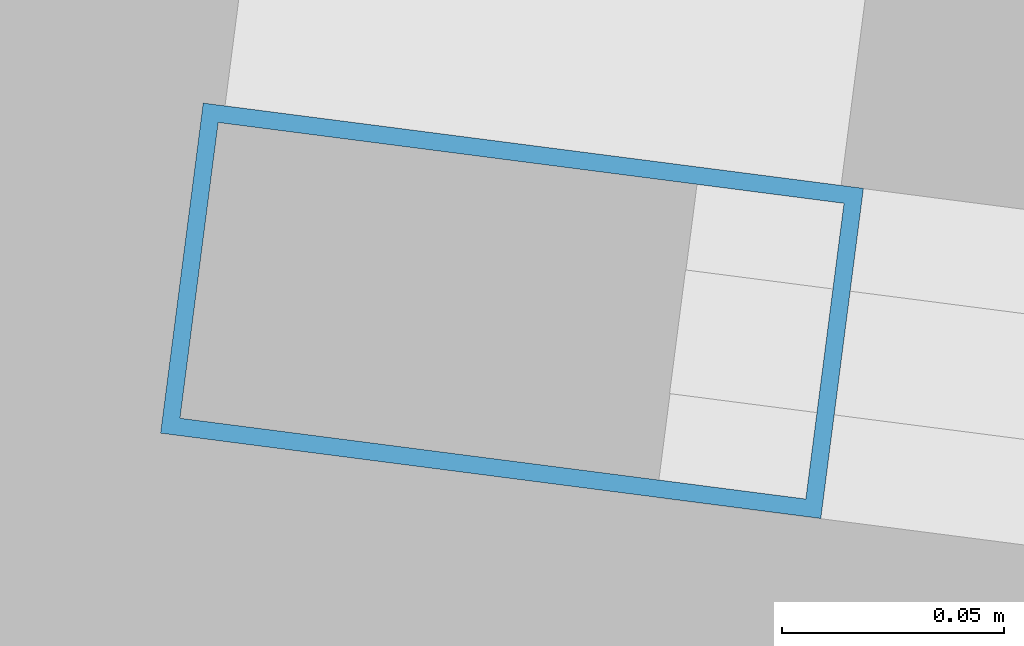
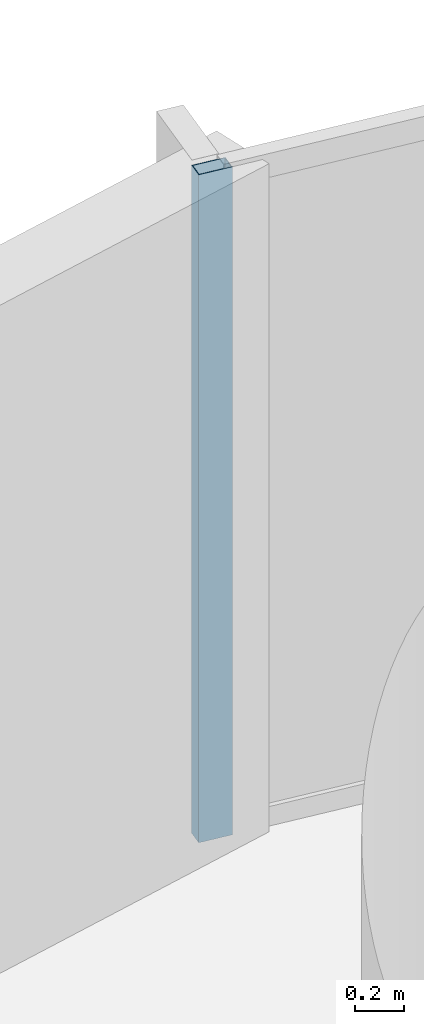
# One storey, part 20 of 31: 1 member, 1 element without a shape of its own.
"""IFC4 building model written with IfcOpenShell, lengths in metres."""

from ifc_helpers import new_model, si_unit, direction, frame, origin, origin_2d, place, context, subcontext, project, spatial, hollow_rectangle, extrude, material, layer, layer_set, material_profile, profile_set, type_object, element, aggregate, save


model = new_model("IFC4")

# Units and contexts
model_context = context("Model", 3, precision=1e-05, world=origin(), true_north=direction((0.0, 1.0)))
body_context = subcontext(model_context, "Body", "Model", "MODEL_VIEW")
ifc_project = project(units=[si_unit("LENGTHUNIT", "METRE"), si_unit("AREAUNIT", "SQUARE_METRE"), si_unit("VOLUMEUNIT", "CUBIC_METRE"), si_unit("PLANEANGLEUNIT", "RADIAN"), si_unit("MASSUNIT", "GRAM", prefix="KILO")], contexts=[model_context])

# Site, building, storey
site_placement = place(None, origin())
site = spatial("IfcSite", under=ifc_project, at=site_placement, CompositionType="ELEMENT")
building_placement = place(site_placement, origin())
building = spatial("IfcBuilding", under=site, at=building_placement, Name="Kazevale Care Tower and Concert Hall", CompositionType="ELEMENT")
storey_placement = place(building_placement, frame((0.0, 0.0, 56.39990234375)))
storey = spatial("IfcBuildingStorey", under=building, at=storey_placement, Name="L14", CompositionType="ELEMENT", Elevation=56.39990234375)

# Curtain wall, member
ifc_material_1 = material(Name="Aluminium 6063-T6 and Low-E Glass", Category="aluminium")
ifc_layer = layer(ifc_material_1, 0.179931640625)
ifc_layer_set = layer_set([ifc_layer], Name="Aluminium 6063-T6 and Low-E Glass")
curtain_wall_type = type_object("IfcCurtainWallType", Name="Convex Recessed Sunroom Curtain Wall CW-3", PredefinedType="NOTDEFINED", material=ifc_layer_set)
curtain_wall_placement = place(storey_placement, origin())
curtain_wall = element("IfcCurtainWall", 1, at=curtain_wall_placement, inside=storey, type_object=curtain_wall_type, Name="cw:L14:f16", PredefinedType="NOTDEFINED")
ifc_material_2 = material(Name="Aluminium 6063-T6", Category="aluminium")
ifc_material_profile = material_profile(ifc_material_2, hollow_rectangle(XDim=0.074951171875, YDim=0.14990234375, WallThickness=0.00390625, at=origin_2d()), Name="ALU75x150x4")
ifc_profile_set = profile_set([ifc_material_profile], Name="Aluminium 6063-T6")
member_type = type_object("IfcMemberType", Name="CW-3 Mullion ALU75x150x4", PredefinedType="MULLION", material=ifc_profile_set)
member_placement = place(storey_placement, frame((45.0771484375, 65.417236328125, 0.0), z_axis=(0.0, 0.0, 1.0), x_axis=(0.128086196538, 0.991763039368, 0.0)))
member = element("IfcMember", 2, at=member_placement, type_object=member_type, Name="CW-3 mullion 1", PredefinedType="MULLION", context=body_context, shape_type="SweptSolid", body=[
    extrude(hollow_rectangle(XDim=0.074951171875, YDim=0.14990234375, WallThickness=0.00390625, at=origin_2d()), origin(), (0.0, 0.0, 1.0), 3.360107421875),
])
aggregate(curtain_wall, [member])

save(model, "model.ifc")
